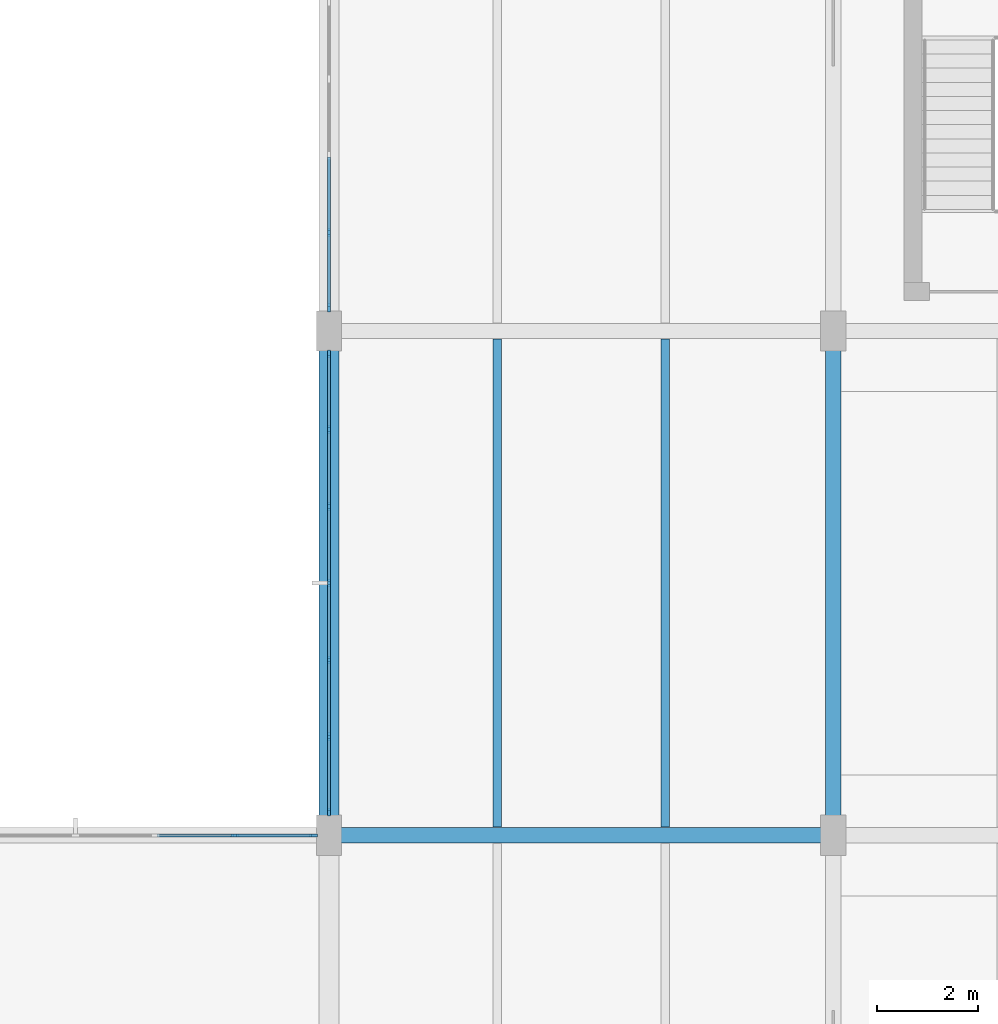
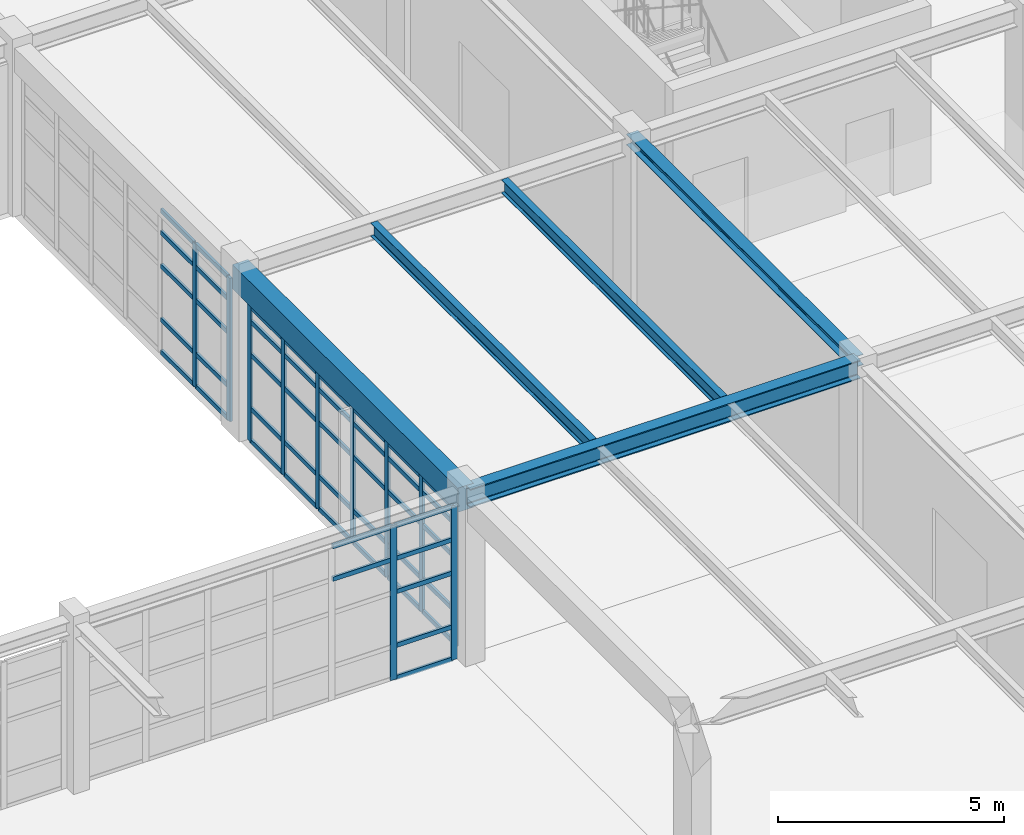
# One storey, part 68 of 139: 58 members, 5 beams, 3 elements without a shape of their own.
"""IFC4 building model written with IfcOpenShell, lengths in metres."""

from ifc_helpers import new_model, si_unit, direction, frame, origin, origin_2d, place, context, subcontext, project, spatial, rectangle, i_section, extrude, material, layer, layer_set, material_profile, profile_set, type_object, element, aggregate, save


model = new_model("IFC4")

# Units and contexts
model_context = context("Model", 3, precision=1e-05, world=origin(), true_north=direction((0.0, 1.0)))
body_context = subcontext(model_context, "Body", "Model", "MODEL_VIEW")
ifc_project = project(units=[si_unit("LENGTHUNIT", "METRE"), si_unit("AREAUNIT", "SQUARE_METRE"), si_unit("VOLUMEUNIT", "CUBIC_METRE"), si_unit("PLANEANGLEUNIT", "RADIAN"), si_unit("MASSUNIT", "GRAM", prefix="KILO"), si_unit("THERMODYNAMICTEMPERATUREUNIT", "KELVIN"), si_unit("POWERUNIT", "WATT")], contexts=[model_context])

# Site, building, storey
site_placement = place(None, origin())
site = spatial("IfcSite", under=ifc_project, at=site_placement, CompositionType="ELEMENT")
building_placement = place(site_placement, origin())
building = spatial("IfcBuilding", under=site, at=building_placement, Name="Korenveer Ferry Terminal", CompositionType="ELEMENT")
storey_placement = place(building_placement, frame((0.0, 0.0, 5.39990234375)))
storey = spatial("IfcBuildingStorey", under=building, at=storey_placement, Name="L01", CompositionType="ELEMENT", Elevation=5.39990234375)

# Curtain wall, members
ifc_material_1 = material(Name="Unitised bronze-and-glass curtain wall", Category="glass")
ifc_layer_1 = layer(ifc_material_1, 0.159912109375)
ifc_layer_set_1 = layer_set([ifc_layer_1], Name="Unitised bronze-and-glass curtain wall")
curtain_wall_type_1 = type_object("IfcCurtainWallType", Name="ENV-CW-45", PredefinedType="USERDEFINED", material=ifc_layer_set_1)
curtain_wall_1_placement = place(storey_placement, frame((136.22998046875, 50.0, 0.0)))
curtain_wall_1 = element("IfcCurtainWall", 1, at=curtain_wall_1_placement, inside=storey, type_object=curtain_wall_type_1, Name="Lancet curtain wall CWX-L01-X136-146-Y50-50", ObjectType="UNITISED CURTAIN WALL", PredefinedType="USERDEFINED")
ifc_material_2 = material(Name="Anodised bronze aluminium", Category="aluminium")
ifc_material_profile_1 = material_profile(ifc_material_2, rectangle(XDim=0.06005859375, YDim=0.159912109375, at=origin_2d()), Name="ALU 60x160")
ifc_profile_set_1 = profile_set([ifc_material_profile_1], Name="Anodised bronze aluminium")
member_type_1 = type_object("IfcMemberType", Name="ENV-CWM-60X160", PredefinedType="MULLION", material=ifc_profile_set_1)
member_1_placement = place(storey_placement, frame((144.138427734375, 50.0, 0.0), z_axis=(0.0, 0.0, 1.0), x_axis=(0.0, 1.0, 0.0)))
member_1 = element("IfcMember", 2, at=member_1_placement, type_object=member_type_1, Name="CW-45 mullion 6", PredefinedType="MULLION", context=body_context, shape_type="SweptSolid", body=[
    extrude(rectangle(XDim=0.06005859375, YDim=0.159912109375, at=origin_2d()), origin(), (0.0, 0.0, 1.0), 4.16015625),
])
member_2_placement = place(storey_placement, frame((145.68994140625, 50.0, 0.0), z_axis=(0.0, 0.0, 1.0), x_axis=(0.0, 1.0, 0.0)))
member_2 = element("IfcMember", 3, at=member_2_placement, type_object=member_type_1, Name="CW-45 mullion 7", PredefinedType="MULLION", context=body_context, shape_type="SweptSolid", body=[
    extrude(rectangle(XDim=0.06005859375, YDim=0.159912109375, at=origin_2d()), origin(), (0.0, 0.0, 1.0), 4.16015625),
])

ifc_layer_2 = layer(ifc_material_1, 0.159912109375)
ifc_layer_set_2 = layer_set([ifc_layer_2], Name="Unitised bronze-and-glass curtain wall")
curtain_wall_type_2 = type_object("IfcCurtainWallType", Name="ENV-CW-78", PredefinedType="USERDEFINED", material=ifc_layer_set_2)
curtain_wall_2_placement = place(storey_placement, frame((146.0, 50.429931640625, 0.0)))
curtain_wall_2 = element("IfcCurtainWall", 4, at=curtain_wall_2_placement, inside=storey, type_object=curtain_wall_type_2, Name="Lancet curtain wall CWX-L01-X146-146-Y50-60", ObjectType="UNITISED CURTAIN WALL", PredefinedType="USERDEFINED")
member_3_placement = place(storey_placement, frame((146.0, 50.4599609375, 0.0), z_axis=(0.0, 0.0, 1.0), x_axis=(-1.0, 0.0, 0.0)))
member_3 = element("IfcMember", 5, at=member_3_placement, type_object=member_type_1, Name="CW-78 mullion 1", PredefinedType="MULLION", context=body_context, shape_type="SweptSolid", body=[
    extrude(rectangle(XDim=0.06005859375, YDim=0.159912109375, at=origin_2d()), origin(), (0.0, 0.0, 1.0), 3.670166015625),
])
member_4_placement = place(storey_placement, frame((146.0, 51.953369140625, 0.0), z_axis=(0.0, 0.0, 1.0), x_axis=(-1.0, 0.0, 0.0)))
member_4 = element("IfcMember", 6, at=member_4_placement, type_object=member_type_1, Name="CW-78 mullion 2", PredefinedType="MULLION", context=body_context, shape_type="SweptSolid", body=[
    extrude(rectangle(XDim=0.06005859375, YDim=0.159912109375, at=origin_2d()), origin(), (0.0, 0.0, 1.0), 3.670166015625),
])
member_5_placement = place(storey_placement, frame((146.0, 53.4765625, 0.0), z_axis=(0.0, 0.0, 1.0), x_axis=(-1.0, 0.0, 0.0)))
member_5 = element("IfcMember", 7, at=member_5_placement, type_object=member_type_1, Name="CW-78 mullion 3", PredefinedType="MULLION", context=body_context, shape_type="SweptSolid", body=[
    extrude(rectangle(XDim=0.06005859375, YDim=0.159912109375, at=origin_2d()), origin(), (0.0, 0.0, 1.0), 3.670166015625),
])
member_6_placement = place(storey_placement, frame((146.0, 55.0, 0.0), z_axis=(0.0, 0.0, 1.0), x_axis=(-1.0, 0.0, 0.0)))
member_6 = element("IfcMember", 8, at=member_6_placement, type_object=member_type_1, Name="CW-78 mullion 4", PredefinedType="MULLION", context=body_context, shape_type="SweptSolid", body=[
    extrude(rectangle(XDim=0.06005859375, YDim=0.159912109375, at=origin_2d()), origin(), (0.0, 0.0, 1.0), 3.670166015625),
])
member_7_placement = place(storey_placement, frame((146.0, 56.5234375, 0.0), z_axis=(0.0, 0.0, 1.0), x_axis=(-1.0, 0.0, 0.0)))
member_7 = element("IfcMember", 9, at=member_7_placement, type_object=member_type_1, Name="CW-78 mullion 5", PredefinedType="MULLION", context=body_context, shape_type="SweptSolid", body=[
    extrude(rectangle(XDim=0.06005859375, YDim=0.159912109375, at=origin_2d()), origin(), (0.0, 0.0, 1.0), 3.670166015625),
])
member_8_placement = place(storey_placement, frame((146.0, 58.046630859375, 0.0), z_axis=(0.0, 0.0, 1.0), x_axis=(-1.0, 0.0, 0.0)))
member_8 = element("IfcMember", 10, at=member_8_placement, type_object=member_type_1, Name="CW-78 mullion 6", PredefinedType="MULLION", context=body_context, shape_type="SweptSolid", body=[
    extrude(rectangle(XDim=0.06005859375, YDim=0.159912109375, at=origin_2d()), origin(), (0.0, 0.0, 1.0), 3.670166015625),
])
member_9_placement = place(storey_placement, frame((146.0, 59.5400390625, 0.0), z_axis=(0.0, 0.0, 1.0), x_axis=(-1.0, 0.0, 0.0)))
member_9 = element("IfcMember", 11, at=member_9_placement, type_object=member_type_1, Name="CW-78 mullion 7", PredefinedType="MULLION", context=body_context, shape_type="SweptSolid", body=[
    extrude(rectangle(XDim=0.06005859375, YDim=0.159912109375, at=origin_2d()), origin(), (0.0, 0.0, 1.0), 3.670166015625),
])

ifc_layer_3 = layer(ifc_material_1, 0.159912109375)
ifc_layer_set_3 = layer_set([ifc_layer_3], Name="Unitised bronze-and-glass curtain wall")
curtain_wall_type_3 = type_object("IfcCurtainWallType", Name="ENV-CW-79", PredefinedType="USERDEFINED", material=ifc_layer_set_3)
curtain_wall_3_placement = place(storey_placement, frame((146.0, 60.429931640625, 0.0)))
curtain_wall_3 = element("IfcCurtainWall", 12, at=curtain_wall_3_placement, inside=storey, type_object=curtain_wall_type_3, Name="Lancet curtain wall CWX-L01-X146-146-Y60-70", ObjectType="UNITISED CURTAIN WALL", PredefinedType="USERDEFINED")
member_10_placement = place(storey_placement, frame((146.0, 60.4599609375, 0.0), z_axis=(0.0, 0.0, 1.0), x_axis=(-1.0, 0.0, 0.0)))
member_10 = element("IfcMember", 13, at=member_10_placement, type_object=member_type_1, Name="CW-79 mullion 1", PredefinedType="MULLION", context=body_context, shape_type="SweptSolid", body=[
    extrude(rectangle(XDim=0.06005859375, YDim=0.159912109375, at=origin_2d()), origin(), (0.0, 0.0, 1.0), 3.8701171875),
])
member_11_placement = place(storey_placement, frame((146.0, 61.953369140625, 0.0), z_axis=(0.0, 0.0, 1.0), x_axis=(-1.0, 0.0, 0.0)))
member_11 = element("IfcMember", 14, at=member_11_placement, type_object=member_type_1, Name="CW-79 mullion 2", PredefinedType="MULLION", context=body_context, shape_type="SweptSolid", body=[
    extrude(rectangle(XDim=0.06005859375, YDim=0.159912109375, at=origin_2d()), origin(), (0.0, 0.0, 1.0), 3.8701171875),
])

# Member
ifc_material_profile_2 = material_profile(ifc_material_2, rectangle(XDim=0.06005859375, YDim=0.1201171875, at=origin_2d()), Name="ALU 60x120")
ifc_profile_set_2 = profile_set([ifc_material_profile_2], Name="Anodised bronze aluminium")
member_type_2 = type_object("IfcMemberType", Name="ENV-CWT-60X120", PredefinedType="USERDEFINED", material=ifc_profile_set_2)
member_12_placement = place(storey_placement, frame((142.586669921875, 50.0, 3.25), z_axis=(1.0, 0.0, 0.0), x_axis=(0.0, 1.0, 0.0)))
member_12 = element("IfcMember", 15, at=member_12_placement, type_object=member_type_2, Name="CW-45 transom 5.4", ObjectType="TRANSOM", PredefinedType="USERDEFINED", context=body_context, shape_type="SweptSolid", body=[
    extrude(rectangle(XDim=0.06005859375, YDim=0.1201171875, at=origin_2d()), origin(), (0.0, 0.0, 1.0), 1.521728515625),
])

member_13_placement = place(storey_placement, frame((142.586669921875, 50.0, 4.130126953125), z_axis=(1.0, 0.0, 0.0), x_axis=(0.0, 1.0, 0.0)))
member_13 = element("IfcMember", 16, at=member_13_placement, type_object=member_type_2, Name="CW-45 transom 5.5", ObjectType="TRANSOM", PredefinedType="USERDEFINED", context=body_context, shape_type="SweptSolid", body=[
    extrude(rectangle(XDim=0.06005859375, YDim=0.1201171875, at=origin_2d()), origin(), (0.0, 0.0, 1.0), 1.521728515625),
])

member_14_placement = place(storey_placement, frame((144.168212890625, 50.0, 0.030029296875), z_axis=(1.0, 0.0, 0.0), x_axis=(0.0, 1.0, 0.0)))
member_14 = element("IfcMember", 17, at=member_14_placement, type_object=member_type_2, Name="CW-45 transom 6.1", ObjectType="TRANSOM", PredefinedType="USERDEFINED", context=body_context, shape_type="SweptSolid", body=[
    extrude(rectangle(XDim=0.06005859375, YDim=0.1201171875, at=origin_2d()), origin(), (0.0, 0.0, 1.0), 1.49169921875),
])

member_15_placement = place(storey_placement, frame((144.168212890625, 50.0, 0.900146484375), z_axis=(1.0, 0.0, 0.0), x_axis=(0.0, 1.0, 0.0)))
member_15 = element("IfcMember", 18, at=member_15_placement, type_object=member_type_2, Name="CW-45 transom 6.2", ObjectType="TRANSOM", PredefinedType="USERDEFINED", context=body_context, shape_type="SweptSolid", body=[
    extrude(rectangle(XDim=0.06005859375, YDim=0.1201171875, at=origin_2d()), origin(), (0.0, 0.0, 1.0), 1.49169921875),
])

member_16_placement = place(storey_placement, frame((144.168212890625, 50.0, 2.35009765625), z_axis=(1.0, 0.0, 0.0), x_axis=(0.0, 1.0, 0.0)))
member_16 = element("IfcMember", 19, at=member_16_placement, type_object=member_type_2, Name="CW-45 transom 6.3", ObjectType="TRANSOM", PredefinedType="USERDEFINED", context=body_context, shape_type="SweptSolid", body=[
    extrude(rectangle(XDim=0.06005859375, YDim=0.1201171875, at=origin_2d()), origin(), (0.0, 0.0, 1.0), 1.49169921875),
])

member_17_placement = place(storey_placement, frame((144.168212890625, 50.0, 3.25), z_axis=(1.0, 0.0, 0.0), x_axis=(0.0, 1.0, 0.0)))
member_17 = element("IfcMember", 20, at=member_17_placement, type_object=member_type_2, Name="CW-45 transom 6.4", ObjectType="TRANSOM", PredefinedType="USERDEFINED", context=body_context, shape_type="SweptSolid", body=[
    extrude(rectangle(XDim=0.06005859375, YDim=0.1201171875, at=origin_2d()), origin(), (0.0, 0.0, 1.0), 1.49169921875),
])

member_18_placement = place(storey_placement, frame((144.168212890625, 50.0, 4.130126953125), z_axis=(1.0, 0.0, 0.0), x_axis=(0.0, 1.0, 0.0)))
member_18 = element("IfcMember", 21, at=member_18_placement, type_object=member_type_2, Name="CW-45 transom 6.5", ObjectType="TRANSOM", PredefinedType="USERDEFINED", context=body_context, shape_type="SweptSolid", body=[
    extrude(rectangle(XDim=0.06005859375, YDim=0.1201171875, at=origin_2d()), origin(), (0.0, 0.0, 1.0), 1.49169921875),
])

aggregate(curtain_wall_1, [member_1, member_2, member_12, member_13, member_14, member_15, member_16, member_17, member_18])

member_19_placement = place(storey_placement, frame((146.0, 50.489990234375, 0.030029296875), z_axis=(0.0, 1.0, 0.0), x_axis=(-1.0, 0.0, 0.0)))
member_19 = element("IfcMember", 22, at=member_19_placement, type_object=member_type_2, Name="CW-78 transom 1.1", ObjectType="TRANSOM", PredefinedType="USERDEFINED", context=body_context, shape_type="SweptSolid", body=[
    extrude(rectangle(XDim=0.06005859375, YDim=0.1201171875, at=origin_2d()), origin(), (0.0, 0.0, 1.0), 1.433349609375),
])

member_20_placement = place(storey_placement, frame((146.0, 50.489990234375, 0.900146484375), z_axis=(0.0, 1.0, 0.0), x_axis=(-1.0, 0.0, 0.0)))
member_20 = element("IfcMember", 23, at=member_20_placement, type_object=member_type_2, Name="CW-78 transom 1.2", ObjectType="TRANSOM", PredefinedType="USERDEFINED", context=body_context, shape_type="SweptSolid", body=[
    extrude(rectangle(XDim=0.06005859375, YDim=0.1201171875, at=origin_2d()), origin(), (0.0, 0.0, 1.0), 1.433349609375),
])

member_21_placement = place(storey_placement, frame((146.0, 50.489990234375, 2.35009765625), z_axis=(0.0, 1.0, 0.0), x_axis=(-1.0, 0.0, 0.0)))
member_21 = element("IfcMember", 24, at=member_21_placement, type_object=member_type_2, Name="CW-78 transom 1.3", ObjectType="TRANSOM", PredefinedType="USERDEFINED", context=body_context, shape_type="SweptSolid", body=[
    extrude(rectangle(XDim=0.06005859375, YDim=0.1201171875, at=origin_2d()), origin(), (0.0, 0.0, 1.0), 1.433349609375),
])

member_22_placement = place(storey_placement, frame((146.0, 50.489990234375, 3.25), z_axis=(0.0, 1.0, 0.0), x_axis=(-1.0, 0.0, 0.0)))
member_22 = element("IfcMember", 25, at=member_22_placement, type_object=member_type_2, Name="CW-78 transom 1.4", ObjectType="TRANSOM", PredefinedType="USERDEFINED", context=body_context, shape_type="SweptSolid", body=[
    extrude(rectangle(XDim=0.06005859375, YDim=0.1201171875, at=origin_2d()), origin(), (0.0, 0.0, 1.0), 1.433349609375),
])

member_23_placement = place(storey_placement, frame((146.0, 50.489990234375, 3.64013671875), z_axis=(0.0, 1.0, 0.0), x_axis=(-1.0, 0.0, 0.0)))
member_23 = element("IfcMember", 26, at=member_23_placement, type_object=member_type_2, Name="CW-78 transom 1.5", ObjectType="TRANSOM", PredefinedType="USERDEFINED", context=body_context, shape_type="SweptSolid", body=[
    extrude(rectangle(XDim=0.06005859375, YDim=0.1201171875, at=origin_2d()), origin(), (0.0, 0.0, 1.0), 1.433349609375),
])

member_24_placement = place(storey_placement, frame((146.0, 51.9833984375, 0.030029296875), z_axis=(0.0, 1.0, 0.0), x_axis=(-1.0, 0.0, 0.0)))
member_24 = element("IfcMember", 27, at=member_24_placement, type_object=member_type_2, Name="CW-78 transom 2.1", ObjectType="TRANSOM", PredefinedType="USERDEFINED", context=body_context, shape_type="SweptSolid", body=[
    extrude(rectangle(XDim=0.06005859375, YDim=0.1201171875, at=origin_2d()), origin(), (0.0, 0.0, 1.0), 1.46337890625),
])

member_25_placement = place(storey_placement, frame((146.0, 51.9833984375, 0.900146484375), z_axis=(0.0, 1.0, 0.0), x_axis=(-1.0, 0.0, 0.0)))
member_25 = element("IfcMember", 28, at=member_25_placement, type_object=member_type_2, Name="CW-78 transom 2.2", ObjectType="TRANSOM", PredefinedType="USERDEFINED", context=body_context, shape_type="SweptSolid", body=[
    extrude(rectangle(XDim=0.06005859375, YDim=0.1201171875, at=origin_2d()), origin(), (0.0, 0.0, 1.0), 1.46337890625),
])

member_26_placement = place(storey_placement, frame((146.0, 51.9833984375, 2.35009765625), z_axis=(0.0, 1.0, 0.0), x_axis=(-1.0, 0.0, 0.0)))
member_26 = element("IfcMember", 29, at=member_26_placement, type_object=member_type_2, Name="CW-78 transom 2.3", ObjectType="TRANSOM", PredefinedType="USERDEFINED", context=body_context, shape_type="SweptSolid", body=[
    extrude(rectangle(XDim=0.06005859375, YDim=0.1201171875, at=origin_2d()), origin(), (0.0, 0.0, 1.0), 1.46337890625),
])

member_27_placement = place(storey_placement, frame((146.0, 51.9833984375, 3.25), z_axis=(0.0, 1.0, 0.0), x_axis=(-1.0, 0.0, 0.0)))
member_27 = element("IfcMember", 30, at=member_27_placement, type_object=member_type_2, Name="CW-78 transom 2.4", ObjectType="TRANSOM", PredefinedType="USERDEFINED", context=body_context, shape_type="SweptSolid", body=[
    extrude(rectangle(XDim=0.06005859375, YDim=0.1201171875, at=origin_2d()), origin(), (0.0, 0.0, 1.0), 1.46337890625),
])

member_28_placement = place(storey_placement, frame((146.0, 51.9833984375, 3.64013671875), z_axis=(0.0, 1.0, 0.0), x_axis=(-1.0, 0.0, 0.0)))
member_28 = element("IfcMember", 31, at=member_28_placement, type_object=member_type_2, Name="CW-78 transom 2.5", ObjectType="TRANSOM", PredefinedType="USERDEFINED", context=body_context, shape_type="SweptSolid", body=[
    extrude(rectangle(XDim=0.06005859375, YDim=0.1201171875, at=origin_2d()), origin(), (0.0, 0.0, 1.0), 1.46337890625),
])

member_29_placement = place(storey_placement, frame((146.0, 53.506591796875, 0.030029296875), z_axis=(0.0, 1.0, 0.0), x_axis=(-1.0, 0.0, 0.0)))
member_29 = element("IfcMember", 32, at=member_29_placement, type_object=member_type_2, Name="CW-78 transom 3.1", ObjectType="TRANSOM", PredefinedType="USERDEFINED", context=body_context, shape_type="SweptSolid", body=[
    extrude(rectangle(XDim=0.06005859375, YDim=0.1201171875, at=origin_2d()), origin(), (0.0, 0.0, 1.0), 1.46337890625),
])

member_30_placement = place(storey_placement, frame((146.0, 53.506591796875, 0.900146484375), z_axis=(0.0, 1.0, 0.0), x_axis=(-1.0, 0.0, 0.0)))
member_30 = element("IfcMember", 33, at=member_30_placement, type_object=member_type_2, Name="CW-78 transom 3.2", ObjectType="TRANSOM", PredefinedType="USERDEFINED", context=body_context, shape_type="SweptSolid", body=[
    extrude(rectangle(XDim=0.06005859375, YDim=0.1201171875, at=origin_2d()), origin(), (0.0, 0.0, 1.0), 1.46337890625),
])

member_31_placement = place(storey_placement, frame((146.0, 53.506591796875, 2.35009765625), z_axis=(0.0, 1.0, 0.0), x_axis=(-1.0, 0.0, 0.0)))
member_31 = element("IfcMember", 34, at=member_31_placement, type_object=member_type_2, Name="CW-78 transom 3.3", ObjectType="TRANSOM", PredefinedType="USERDEFINED", context=body_context, shape_type="SweptSolid", body=[
    extrude(rectangle(XDim=0.06005859375, YDim=0.1201171875, at=origin_2d()), origin(), (0.0, 0.0, 1.0), 1.46337890625),
])

member_32_placement = place(storey_placement, frame((146.0, 53.506591796875, 3.25), z_axis=(0.0, 1.0, 0.0), x_axis=(-1.0, 0.0, 0.0)))
member_32 = element("IfcMember", 35, at=member_32_placement, type_object=member_type_2, Name="CW-78 transom 3.4", ObjectType="TRANSOM", PredefinedType="USERDEFINED", context=body_context, shape_type="SweptSolid", body=[
    extrude(rectangle(XDim=0.06005859375, YDim=0.1201171875, at=origin_2d()), origin(), (0.0, 0.0, 1.0), 1.46337890625),
])

member_33_placement = place(storey_placement, frame((146.0, 53.506591796875, 3.64013671875), z_axis=(0.0, 1.0, 0.0), x_axis=(-1.0, 0.0, 0.0)))
member_33 = element("IfcMember", 36, at=member_33_placement, type_object=member_type_2, Name="CW-78 transom 3.5", ObjectType="TRANSOM", PredefinedType="USERDEFINED", context=body_context, shape_type="SweptSolid", body=[
    extrude(rectangle(XDim=0.06005859375, YDim=0.1201171875, at=origin_2d()), origin(), (0.0, 0.0, 1.0), 1.46337890625),
])

member_34_placement = place(storey_placement, frame((146.0, 55.030029296875, 0.030029296875), z_axis=(0.0, 1.0, 0.0), x_axis=(-1.0, 0.0, 0.0)))
member_34 = element("IfcMember", 37, at=member_34_placement, type_object=member_type_2, Name="CW-78 transom 4.1", ObjectType="TRANSOM", PredefinedType="USERDEFINED", context=body_context, shape_type="SweptSolid", body=[
    extrude(rectangle(XDim=0.06005859375, YDim=0.1201171875, at=origin_2d()), origin(), (0.0, 0.0, 1.0), 1.46337890625),
])

member_35_placement = place(storey_placement, frame((146.0, 55.030029296875, 0.900146484375), z_axis=(0.0, 1.0, 0.0), x_axis=(-1.0, 0.0, 0.0)))
member_35 = element("IfcMember", 38, at=member_35_placement, type_object=member_type_2, Name="CW-78 transom 4.2", ObjectType="TRANSOM", PredefinedType="USERDEFINED", context=body_context, shape_type="SweptSolid", body=[
    extrude(rectangle(XDim=0.06005859375, YDim=0.1201171875, at=origin_2d()), origin(), (0.0, 0.0, 1.0), 1.46337890625),
])

member_36_placement = place(storey_placement, frame((146.0, 55.030029296875, 2.35009765625), z_axis=(0.0, 1.0, 0.0), x_axis=(-1.0, 0.0, 0.0)))
member_36 = element("IfcMember", 39, at=member_36_placement, type_object=member_type_2, Name="CW-78 transom 4.3", ObjectType="TRANSOM", PredefinedType="USERDEFINED", context=body_context, shape_type="SweptSolid", body=[
    extrude(rectangle(XDim=0.06005859375, YDim=0.1201171875, at=origin_2d()), origin(), (0.0, 0.0, 1.0), 1.46337890625),
])

member_37_placement = place(storey_placement, frame((146.0, 55.030029296875, 3.25), z_axis=(0.0, 1.0, 0.0), x_axis=(-1.0, 0.0, 0.0)))
member_37 = element("IfcMember", 40, at=member_37_placement, type_object=member_type_2, Name="CW-78 transom 4.4", ObjectType="TRANSOM", PredefinedType="USERDEFINED", context=body_context, shape_type="SweptSolid", body=[
    extrude(rectangle(XDim=0.06005859375, YDim=0.1201171875, at=origin_2d()), origin(), (0.0, 0.0, 1.0), 1.46337890625),
])

member_38_placement = place(storey_placement, frame((146.0, 55.030029296875, 3.64013671875), z_axis=(0.0, 1.0, 0.0), x_axis=(-1.0, 0.0, 0.0)))
member_38 = element("IfcMember", 41, at=member_38_placement, type_object=member_type_2, Name="CW-78 transom 4.5", ObjectType="TRANSOM", PredefinedType="USERDEFINED", context=body_context, shape_type="SweptSolid", body=[
    extrude(rectangle(XDim=0.06005859375, YDim=0.1201171875, at=origin_2d()), origin(), (0.0, 0.0, 1.0), 1.46337890625),
])

member_39_placement = place(storey_placement, frame((146.0, 56.55322265625, 0.030029296875), z_axis=(0.0, 1.0, 0.0), x_axis=(-1.0, 0.0, 0.0)))
member_39 = element("IfcMember", 42, at=member_39_placement, type_object=member_type_2, Name="CW-78 transom 5.1", ObjectType="TRANSOM", PredefinedType="USERDEFINED", context=body_context, shape_type="SweptSolid", body=[
    extrude(rectangle(XDim=0.06005859375, YDim=0.1201171875, at=origin_2d()), origin(), (0.0, 0.0, 1.0), 1.46337890625),
])

member_40_placement = place(storey_placement, frame((146.0, 56.55322265625, 0.900146484375), z_axis=(0.0, 1.0, 0.0), x_axis=(-1.0, 0.0, 0.0)))
member_40 = element("IfcMember", 43, at=member_40_placement, type_object=member_type_2, Name="CW-78 transom 5.2", ObjectType="TRANSOM", PredefinedType="USERDEFINED", context=body_context, shape_type="SweptSolid", body=[
    extrude(rectangle(XDim=0.06005859375, YDim=0.1201171875, at=origin_2d()), origin(), (0.0, 0.0, 1.0), 1.46337890625),
])

member_41_placement = place(storey_placement, frame((146.0, 56.55322265625, 2.35009765625), z_axis=(0.0, 1.0, 0.0), x_axis=(-1.0, 0.0, 0.0)))
member_41 = element("IfcMember", 44, at=member_41_placement, type_object=member_type_2, Name="CW-78 transom 5.3", ObjectType="TRANSOM", PredefinedType="USERDEFINED", context=body_context, shape_type="SweptSolid", body=[
    extrude(rectangle(XDim=0.06005859375, YDim=0.1201171875, at=origin_2d()), origin(), (0.0, 0.0, 1.0), 1.46337890625),
])

member_42_placement = place(storey_placement, frame((146.0, 56.55322265625, 3.25), z_axis=(0.0, 1.0, 0.0), x_axis=(-1.0, 0.0, 0.0)))
member_42 = element("IfcMember", 45, at=member_42_placement, type_object=member_type_2, Name="CW-78 transom 5.4", ObjectType="TRANSOM", PredefinedType="USERDEFINED", context=body_context, shape_type="SweptSolid", body=[
    extrude(rectangle(XDim=0.06005859375, YDim=0.1201171875, at=origin_2d()), origin(), (0.0, 0.0, 1.0), 1.46337890625),
])

member_43_placement = place(storey_placement, frame((146.0, 56.55322265625, 3.64013671875), z_axis=(0.0, 1.0, 0.0), x_axis=(-1.0, 0.0, 0.0)))
member_43 = element("IfcMember", 46, at=member_43_placement, type_object=member_type_2, Name="CW-78 transom 5.5", ObjectType="TRANSOM", PredefinedType="USERDEFINED", context=body_context, shape_type="SweptSolid", body=[
    extrude(rectangle(XDim=0.06005859375, YDim=0.1201171875, at=origin_2d()), origin(), (0.0, 0.0, 1.0), 1.46337890625),
])

member_44_placement = place(storey_placement, frame((146.0, 58.07666015625, 0.030029296875), z_axis=(0.0, 1.0, 0.0), x_axis=(-1.0, 0.0, 0.0)))
member_44 = element("IfcMember", 47, at=member_44_placement, type_object=member_type_2, Name="CW-78 transom 6.1", ObjectType="TRANSOM", PredefinedType="USERDEFINED", context=body_context, shape_type="SweptSolid", body=[
    extrude(rectangle(XDim=0.06005859375, YDim=0.1201171875, at=origin_2d()), origin(), (0.0, 0.0, 1.0), 1.433349609375),
])

member_45_placement = place(storey_placement, frame((146.0, 58.07666015625, 0.900146484375), z_axis=(0.0, 1.0, 0.0), x_axis=(-1.0, 0.0, 0.0)))
member_45 = element("IfcMember", 48, at=member_45_placement, type_object=member_type_2, Name="CW-78 transom 6.2", ObjectType="TRANSOM", PredefinedType="USERDEFINED", context=body_context, shape_type="SweptSolid", body=[
    extrude(rectangle(XDim=0.06005859375, YDim=0.1201171875, at=origin_2d()), origin(), (0.0, 0.0, 1.0), 1.433349609375),
])

member_46_placement = place(storey_placement, frame((146.0, 58.07666015625, 2.35009765625), z_axis=(0.0, 1.0, 0.0), x_axis=(-1.0, 0.0, 0.0)))
member_46 = element("IfcMember", 49, at=member_46_placement, type_object=member_type_2, Name="CW-78 transom 6.3", ObjectType="TRANSOM", PredefinedType="USERDEFINED", context=body_context, shape_type="SweptSolid", body=[
    extrude(rectangle(XDim=0.06005859375, YDim=0.1201171875, at=origin_2d()), origin(), (0.0, 0.0, 1.0), 1.433349609375),
])

member_47_placement = place(storey_placement, frame((146.0, 58.07666015625, 3.25), z_axis=(0.0, 1.0, 0.0), x_axis=(-1.0, 0.0, 0.0)))
member_47 = element("IfcMember", 50, at=member_47_placement, type_object=member_type_2, Name="CW-78 transom 6.4", ObjectType="TRANSOM", PredefinedType="USERDEFINED", context=body_context, shape_type="SweptSolid", body=[
    extrude(rectangle(XDim=0.06005859375, YDim=0.1201171875, at=origin_2d()), origin(), (0.0, 0.0, 1.0), 1.433349609375),
])

member_48_placement = place(storey_placement, frame((146.0, 58.07666015625, 3.64013671875), z_axis=(0.0, 1.0, 0.0), x_axis=(-1.0, 0.0, 0.0)))
member_48 = element("IfcMember", 51, at=member_48_placement, type_object=member_type_2, Name="CW-78 transom 6.5", ObjectType="TRANSOM", PredefinedType="USERDEFINED", context=body_context, shape_type="SweptSolid", body=[
    extrude(rectangle(XDim=0.06005859375, YDim=0.1201171875, at=origin_2d()), origin(), (0.0, 0.0, 1.0), 1.433349609375),
])

aggregate(curtain_wall_2, [member_3, member_4, member_5, member_6, member_7, member_8, member_9, member_19, member_20, member_21, member_22, member_23, member_24, member_25, member_26, member_27, member_28, member_29, member_30, member_31, member_32, member_33, member_34, member_35, member_36, member_37, member_38, member_39, member_40, member_41, member_42, member_43, member_44, member_45, member_46, member_47, member_48])

member_49_placement = place(storey_placement, frame((146.0, 60.489990234375, 0.030029296875), z_axis=(0.0, 1.0, 0.0), x_axis=(-1.0, 0.0, 0.0)))
member_49 = element("IfcMember", 52, at=member_49_placement, type_object=member_type_2, Name="CW-79 transom 1.1", ObjectType="TRANSOM", PredefinedType="USERDEFINED", context=body_context, shape_type="SweptSolid", body=[
    extrude(rectangle(XDim=0.06005859375, YDim=0.1201171875, at=origin_2d()), origin(), (0.0, 0.0, 1.0), 1.433349609375),
])

member_50_placement = place(storey_placement, frame((146.0, 60.489990234375, 0.900146484375), z_axis=(0.0, 1.0, 0.0), x_axis=(-1.0, 0.0, 0.0)))
member_50 = element("IfcMember", 53, at=member_50_placement, type_object=member_type_2, Name="CW-79 transom 1.2", ObjectType="TRANSOM", PredefinedType="USERDEFINED", context=body_context, shape_type="SweptSolid", body=[
    extrude(rectangle(XDim=0.06005859375, YDim=0.1201171875, at=origin_2d()), origin(), (0.0, 0.0, 1.0), 1.433349609375),
])

member_51_placement = place(storey_placement, frame((146.0, 60.489990234375, 2.35009765625), z_axis=(0.0, 1.0, 0.0), x_axis=(-1.0, 0.0, 0.0)))
member_51 = element("IfcMember", 54, at=member_51_placement, type_object=member_type_2, Name="CW-79 transom 1.3", ObjectType="TRANSOM", PredefinedType="USERDEFINED", context=body_context, shape_type="SweptSolid", body=[
    extrude(rectangle(XDim=0.06005859375, YDim=0.1201171875, at=origin_2d()), origin(), (0.0, 0.0, 1.0), 1.433349609375),
])

member_52_placement = place(storey_placement, frame((146.0, 60.489990234375, 3.25), z_axis=(0.0, 1.0, 0.0), x_axis=(-1.0, 0.0, 0.0)))
member_52 = element("IfcMember", 55, at=member_52_placement, type_object=member_type_2, Name="CW-79 transom 1.4", ObjectType="TRANSOM", PredefinedType="USERDEFINED", context=body_context, shape_type="SweptSolid", body=[
    extrude(rectangle(XDim=0.06005859375, YDim=0.1201171875, at=origin_2d()), origin(), (0.0, 0.0, 1.0), 1.433349609375),
])

member_53_placement = place(storey_placement, frame((146.0, 60.489990234375, 3.840087890625), z_axis=(0.0, 1.0, 0.0), x_axis=(-1.0, 0.0, 0.0)))
member_53 = element("IfcMember", 56, at=member_53_placement, type_object=member_type_2, Name="CW-79 transom 1.5", ObjectType="TRANSOM", PredefinedType="USERDEFINED", context=body_context, shape_type="SweptSolid", body=[
    extrude(rectangle(XDim=0.06005859375, YDim=0.1201171875, at=origin_2d()), origin(), (0.0, 0.0, 1.0), 1.433349609375),
])

member_54_placement = place(storey_placement, frame((146.0, 61.9833984375, 0.030029296875), z_axis=(0.0, 1.0, 0.0), x_axis=(-1.0, 0.0, 0.0)))
member_54 = element("IfcMember", 57, at=member_54_placement, type_object=member_type_2, Name="CW-79 transom 2.1", ObjectType="TRANSOM", PredefinedType="USERDEFINED", context=body_context, shape_type="SweptSolid", body=[
    extrude(rectangle(XDim=0.06005859375, YDim=0.1201171875, at=origin_2d()), origin(), (0.0, 0.0, 1.0), 1.46337890625),
])

member_55_placement = place(storey_placement, frame((146.0, 61.9833984375, 0.900146484375), z_axis=(0.0, 1.0, 0.0), x_axis=(-1.0, 0.0, 0.0)))
member_55 = element("IfcMember", 58, at=member_55_placement, type_object=member_type_2, Name="CW-79 transom 2.2", ObjectType="TRANSOM", PredefinedType="USERDEFINED", context=body_context, shape_type="SweptSolid", body=[
    extrude(rectangle(XDim=0.06005859375, YDim=0.1201171875, at=origin_2d()), origin(), (0.0, 0.0, 1.0), 1.46337890625),
])

member_56_placement = place(storey_placement, frame((146.0, 61.9833984375, 2.35009765625), z_axis=(0.0, 1.0, 0.0), x_axis=(-1.0, 0.0, 0.0)))
member_56 = element("IfcMember", 59, at=member_56_placement, type_object=member_type_2, Name="CW-79 transom 2.3", ObjectType="TRANSOM", PredefinedType="USERDEFINED", context=body_context, shape_type="SweptSolid", body=[
    extrude(rectangle(XDim=0.06005859375, YDim=0.1201171875, at=origin_2d()), origin(), (0.0, 0.0, 1.0), 1.46337890625),
])

member_57_placement = place(storey_placement, frame((146.0, 61.9833984375, 3.25), z_axis=(0.0, 1.0, 0.0), x_axis=(-1.0, 0.0, 0.0)))
member_57 = element("IfcMember", 60, at=member_57_placement, type_object=member_type_2, Name="CW-79 transom 2.4", ObjectType="TRANSOM", PredefinedType="USERDEFINED", context=body_context, shape_type="SweptSolid", body=[
    extrude(rectangle(XDim=0.06005859375, YDim=0.1201171875, at=origin_2d()), origin(), (0.0, 0.0, 1.0), 1.46337890625),
])

member_58_placement = place(storey_placement, frame((146.0, 61.9833984375, 3.840087890625), z_axis=(0.0, 1.0, 0.0), x_axis=(-1.0, 0.0, 0.0)))
member_58 = element("IfcMember", 61, at=member_58_placement, type_object=member_type_2, Name="CW-79 transom 2.5", ObjectType="TRANSOM", PredefinedType="USERDEFINED", context=body_context, shape_type="SweptSolid", body=[
    extrude(rectangle(XDim=0.06005859375, YDim=0.1201171875, at=origin_2d()), origin(), (0.0, 0.0, 1.0), 1.46337890625),
])

aggregate(curtain_wall_3, [member_10, member_11, member_49, member_50, member_51, member_52, member_53, member_54, member_55, member_56, member_57, member_58])

# Beams
ifc_material_3 = material(Name="Steel S355", Category="steel")
ifc_material_profile_3 = material_profile(ifc_material_3, i_section(OverallWidth=0.300048828125, OverallDepth=0.2900390625, WebThickness=0.008544921875, FlangeThickness=0.013916015625, FilletRadius=0.027099609375, at=origin_2d()), Name="HEA 300")
ifc_profile_set_3 = profile_set([ifc_material_profile_3], Name="Steel S355")
beam_type_1 = type_object("IfcBeamType", Name="STR-BM-HEA300", PredefinedType="BEAM", material=ifc_profile_set_3)
beam_1_placement = place(storey_placement, frame((156.0, 50.02001953125, 4.405029296875), z_axis=(0.0, 1.0, 0.0), x_axis=(-1.0, 0.0, 0.0)))
element("IfcBeam", 62, at=beam_1_placement, inside=storey, type_object=beam_type_1, Name="Primary Y girder BMY-L02-X156-Y50-60", PredefinedType="BEAM", context=body_context, shape_type="SweptSolid", body=[
    extrude(i_section(OverallWidth=0.300048828125, OverallDepth=0.2900390625, WebThickness=0.008544921875, FlangeThickness=0.013916015625, FilletRadius=0.027099609375, at=origin_2d()), origin(), (0.0, 0.0, 1.0), 9.9599609375),
])
ifc_material_profile_4 = material_profile(ifc_material_3, i_section(OverallWidth=0.300048828125, OverallDepth=0.5, WebThickness=0.014404296875, FlangeThickness=0.028076171875, FilletRadius=0.027099609375, at=origin_2d()), Name="HEB 500")
ifc_profile_set_4 = profile_set([ifc_material_profile_4], Name="Steel S355")
beam_type_2 = type_object("IfcBeamType", Name="STR-BM-HEB500", PredefinedType="BEAM", material=ifc_profile_set_4)
beam_2_placement = place(storey_placement, frame((146.02001953125, 50.0, 4.300048828125), z_axis=(1.0, 0.0, 0.0), x_axis=(0.0, 1.0, 0.0)))
element("IfcBeam", 63, at=beam_2_placement, inside=storey, type_object=beam_type_2, Name="Primary X girder BMX-L02-X146-156-Y50", PredefinedType="BEAM", context=body_context, shape_type="SweptSolid", body=[
    extrude(i_section(OverallWidth=0.300048828125, OverallDepth=0.5, WebThickness=0.014404296875, FlangeThickness=0.028076171875, FilletRadius=0.027099609375, at=origin_2d()), origin(), (0.0, 0.0, 1.0), 9.9599609375),
])
ifc_material_4 = material(Name="Concrete C40/50", Category="concrete")
ifc_material_profile_5 = material_profile(ifc_material_4, rectangle(XDim=0.39990234375, YDim=0.64990234375, at=origin_2d()), Name="RC 400x650")
ifc_profile_set_5 = profile_set([ifc_material_profile_5], Name="Concrete C40/50")
beam_type_3 = type_object("IfcBeamType", Name="STR-BM-RC400X650", PredefinedType="BEAM", material=ifc_profile_set_5)
beam_3_placement = place(storey_placement, frame((146.0, 50.02001953125, 4.22509765625), z_axis=(0.0, 1.0, 0.0), x_axis=(-1.0, 0.0, 0.0)))
element("IfcBeam", 64, at=beam_3_placement, inside=storey, type_object=beam_type_3, Name="Primary Y girder BMY-L02-X146-Y50-60", PredefinedType="BEAM", context=body_context, shape_type="SweptSolid", body=[
    extrude(rectangle(XDim=0.39990234375, YDim=0.64990234375, at=origin_2d()), origin(), (0.0, 0.0, 1.0), 9.9599609375),
])
ifc_material_profile_6 = material_profile(ifc_material_3, i_section(OverallWidth=0.169921875, OverallDepth=0.360107421875, WebThickness=0.008056640625, FlangeThickness=0.0126953125, FilletRadius=0.01806640625, at=origin_2d()), Name="IPE 360")
ifc_profile_set_6 = profile_set([ifc_material_profile_6], Name="Steel S355")
beam_type_4 = type_object("IfcBeamType", Name="STR-JST-IPE360", PredefinedType="JOIST", material=ifc_profile_set_6)
for number, where, z_axis, x_axis, name in (
    (65, (149.333251953125, 50.159912109375, 4.3701171875), (0.0, 1.0, 0.0), (-1.0, 0.0, 0.0), "Secondary composite joist JST-L02-X1493-Y50-60"),
    (66, (152.666748046875, 50.159912109375, 4.3701171875), (0.0, 1.0, 0.0), (-1.0, 0.0, 0.0), "Secondary composite joist JST-L02-X1527-Y50-60"),
):
    element("IfcBeam", number, at=place(storey_placement, frame(where, z_axis=z_axis, x_axis=x_axis)), inside=storey, type_object=beam_type_4, Name=name, PredefinedType="JOIST", context=body_context, shape_type="SweptSolid", body=[
        extrude(i_section(OverallWidth=0.169921875, OverallDepth=0.360107421875, WebThickness=0.008056640625, FlangeThickness=0.0126953125, FilletRadius=0.01806640625, at=origin_2d()), origin(), (0.0, 0.0, 1.0), 9.68017578125),
    ])

save(model, "model.ifc")
